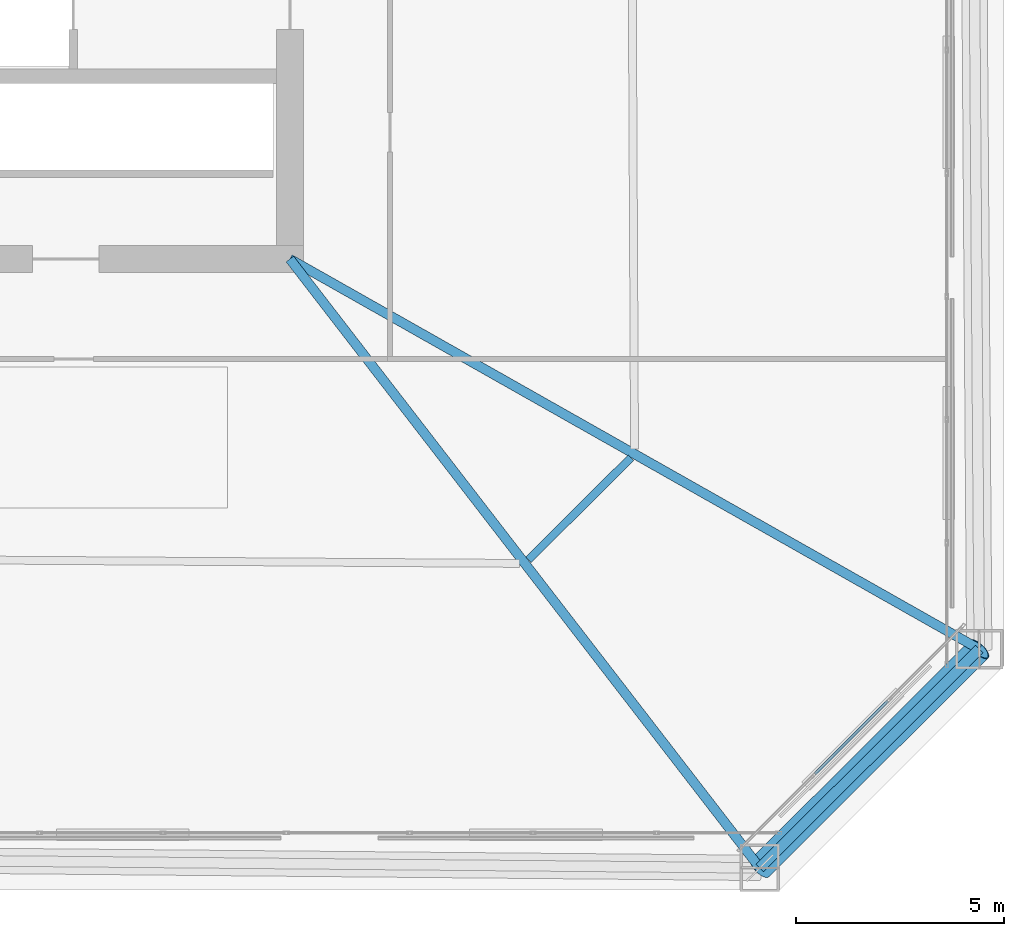
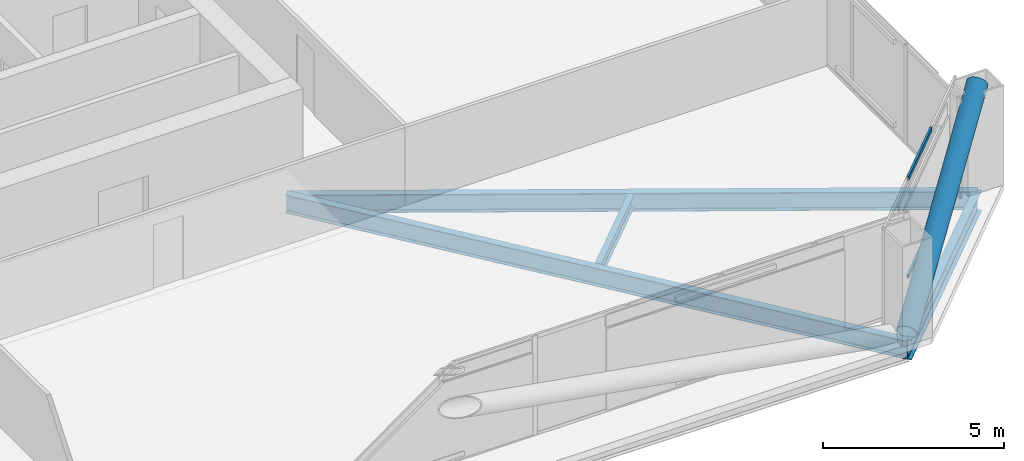
# One storey, part 24 of 50: 4 beams, 3 members, 1 element without a shape of its own.
"""IFC4 building model written with IfcOpenShell, lengths in metres."""

from ifc_helpers import new_model, si_unit, direction, frame, origin, origin_2d, place, context, subcontext, project, spatial, hollow_rectangle, hollow_circle, i_section, extrude, material, layer, layer_set, material_profile, profile_set, type_object, element, aggregate, save


model = new_model("IFC4")

# Units and contexts
model_context = context("Model", 3, precision=1e-05, world=origin(), true_north=direction((0.0, 1.0)))
body_context = subcontext(model_context, "Body", "Model", "MODEL_VIEW")
ifc_project = project(units=[si_unit("LENGTHUNIT", "METRE"), si_unit("AREAUNIT", "SQUARE_METRE"), si_unit("VOLUMEUNIT", "CUBIC_METRE"), si_unit("PLANEANGLEUNIT", "RADIAN"), si_unit("MASSUNIT", "GRAM", prefix="KILO")], contexts=[model_context])

# Site, building, storey
site_placement = place(None, origin())
site = spatial("IfcSite", under=ifc_project, at=site_placement, CompositionType="ELEMENT")
building_placement = place(site_placement, origin())
building = spatial("IfcBuilding", under=site, at=building_placement, Name="Caelvoria Tower", CompositionType="ELEMENT")
storey_placement = place(building_placement, frame((0.0, 0.0, 71.199951171875)))
storey = spatial("IfcBuildingStorey", under=building, at=storey_placement, Name="L18", CompositionType="ELEMENT", Elevation=71.199951171875)

# Curtain wall, members
ifc_material_1 = material(Name="Anodised Bronze Aluminium and Low-E Glass", Category="aluminium")
ifc_layer = layer(ifc_material_1, 0.18505859375, Name="Anodised Bronze Aluminium and Low-E Glass")
ifc_layer_set = layer_set([ifc_layer], Name="CW System 2 Lower Tower Bronze Unitised Facade - Anodised Bronze Aluminium and Low-E Glass")
curtain_wall_type = type_object("IfcCurtainWallType", Name="CW System 2 Lower Tower Bronze Unitised Facade", PredefinedType="NOTDEFINED", material=ifc_layer_set)
curtain_wall_placement = place(storey_placement, origin())
curtain_wall = element("IfcCurtainWall", 1, at=curtain_wall_placement, inside=storey, type_object=curtain_wall_type, Name="CW-02 Curtain Wall L18-E1", PredefinedType="NOTDEFINED")
ifc_material_2 = material(Name="Anodised Bronze Architectural Aluminium", Category="aluminium")
ifc_material_profile_1 = material_profile(ifc_material_2, hollow_rectangle(XDim=0.06494140625, YDim=0.1298828125, WallThickness=0.00341796875, at=origin_2d()), Name="Anodised Bronze Architectural Aluminium")
ifc_profile_set_1 = profile_set([ifc_material_profile_1], Name="CW_TRAN_65X130 - Anodised Bronze Architectural Aluminium")
member_type_1 = type_object("IfcMemberType", Name="Curtain Wall Transom 65x130 Bronze Aluminium", PredefinedType="USERDEFINED", material=ifc_profile_set_1)
member_1_placement = place(storey_placement, frame((67.647216796875, 11.598876953125, 0.032470703125), z_axis=(0.707106781187, 0.707106781187, 0.0), x_axis=(-0.707106781187, 0.707106781187, 0.0)))
member_1 = element("IfcMember", 2, at=member_1_placement, type_object=member_type_1, Name="CW-02 transom 2.1", ObjectType="TRANSOM", PredefinedType="USERDEFINED", context=body_context, shape_type="SweptSolid", body=[
    extrude(hollow_rectangle(XDim=0.06494140625, YDim=0.1298828125, WallThickness=0.00341796875, at=origin_2d()), origin(), (0.0, 0.0, 1.0), 2.48046875),
])
member_2_placement = place(storey_placement, frame((67.647216796875, 11.598876953125, 3.32763671875), z_axis=(0.707106781187, 0.707106781187, 0.0), x_axis=(-0.707106781187, 0.707106781187, 0.0)))
member_2 = element("IfcMember", 3, at=member_2_placement, type_object=member_type_1, Name="CW-02 transom 2.2", ObjectType="TRANSOM", PredefinedType="USERDEFINED", context=body_context, shape_type="SweptSolid", body=[
    extrude(hollow_rectangle(XDim=0.06494140625, YDim=0.1298828125, WallThickness=0.00341796875, at=origin_2d()), origin(), (0.0, 0.0, 1.0), 2.48046875),
])
aggregate(curtain_wall, [member_1, member_2])

# Member
ifc_material_3 = material(Name="Structural Steel ASTM A572 Gr.50", Category="steel")
ifc_material_profile_2 = material_profile(ifc_material_3, hollow_circle(Radius=0.304931640625, WallThickness=0.02490234375, at=origin_2d()), Name="Structural Steel ASTM A572 Gr.50")
ifc_profile_set_2 = profile_set([ifc_material_profile_2], Name="CHS610X25 - Structural Steel ASTM A572 Gr.50")
member_type_2 = type_object("IfcMemberType", Name="Lower Perimeter Mega Brace CHS610X25", PredefinedType="BRACE", material=ifc_profile_set_2)
member_3_placement = place(storey_placement, frame((66.3193359375, 9.336181640625, 0.0), z_axis=(0.645789216717, 0.643730853082, 0.410568966633), x_axis=(-0.70597718057, 0.708234580146, 0.0)))
element("IfcMember", 4, at=member_3_placement, inside=storey, type_object=member_type_2, Name="Perimeter Chamfer Mega Brace L18 SE", PredefinedType="BRACE", context=body_context, shape_type="SweptSolid", body=[
    extrude(hollow_circle(Radius=0.304931640625, WallThickness=0.02490234375, at=origin_2d()), origin(), (0.0, 0.0, 1.0), 8.18408203125),
])

# Beams
ifc_material_4 = material(Name="Structural Steel ASTM A992 Gr.50", Category="steel")
ifc_material_profile_3 = material_profile(ifc_material_4, i_section(OverallWidth=0.25390625, OverallDepth=0.68798828125, WebThickness=0.01318359375, FlangeThickness=0.02099609375, FilletRadius=0.01904296875, at=origin_2d()), Name="Structural Steel ASTM A992 Gr.50")
ifc_profile_set_3 = profile_set([ifc_material_profile_3], Name="W690X152 - Structural Steel ASTM A992 Gr.50")
beam_type_1 = type_object("IfcBeamType", Name="Perimeter Spandrel Girder W690X152", PredefinedType="BEAM", material=ifc_profile_set_3)
beam_1_placement = place(storey_placement, frame((66.3193359375, 9.336181640625, -0.583984375), z_axis=(0.708234580146, 0.70597718057, 0.0), x_axis=(-0.70597718057, 0.708234580146, 0.0)))
element("IfcBeam", 5, at=beam_1_placement, inside=storey, type_object=beam_type_1, Name="Perimeter Spandrel Girder L18-02", PredefinedType="BEAM", context=body_context, shape_type="SweptSolid", body=[
    extrude(i_section(OverallWidth=0.25390625, OverallDepth=0.68798828125, WebThickness=0.01318359375, FlangeThickness=0.02099609375, FilletRadius=0.01904296875, at=origin_2d()), origin(), (0.0, 0.0, 1.0), 7.46240234375),
])
ifc_material_profile_4 = material_profile(ifc_material_4, i_section(OverallWidth=0.22900390625, OverallDepth=0.612060546875, WebThickness=0.011962890625, FlangeThickness=0.01953125, FilletRadius=0.01806640625, at=origin_2d()), Name="Structural Steel ASTM A992 Gr.50")
ifc_profile_set_4 = profile_set([ifc_material_profile_4], Name="W610X125 - Structural Steel ASTM A992 Gr.50")
beam_type_2 = type_object("IfcBeamType", Name="Primary Radial Floor Girder W610X125", PredefinedType="BEAM", material=ifc_profile_set_4)
beam_2_placement = place(storey_placement, frame((55.0, 24.0, -0.5458984375), z_axis=(0.611048700367, -0.791593005136, 0.0), x_axis=(0.791593005136, 0.611048700367, 0.0)))
element("IfcBeam", 6, at=beam_2_placement, inside=storey, type_object=beam_type_2, Name="Primary Floor Girder L18-02", PredefinedType="BEAM", context=body_context, shape_type="SweptSolid", body=[
    extrude(i_section(OverallWidth=0.22900390625, OverallDepth=0.612060546875, WebThickness=0.011962890625, FlangeThickness=0.01953125, FilletRadius=0.01806640625, at=origin_2d()), origin(), (0.0, 0.0, 1.0), 18.5244140625),
])
beam_3_placement = place(storey_placement, frame((55.0, 24.0, -0.5458984375), z_axis=(0.870330127245, -0.492468749881, 0.0), x_axis=(0.492468749881, 0.870330127245, 0.0)))
element("IfcBeam", 7, at=beam_3_placement, inside=storey, type_object=beam_type_2, Name="Primary Floor Girder L18-03", PredefinedType="BEAM", context=body_context, shape_type="SweptSolid", body=[
    extrude(i_section(OverallWidth=0.22900390625, OverallDepth=0.612060546875, WebThickness=0.011962890625, FlangeThickness=0.01953125, FilletRadius=0.01806640625, at=origin_2d()), origin(), (0.0, 0.0, 1.0), 19.078369140625),
])
ifc_material_profile_5 = material_profile(ifc_material_4, i_section(OverallWidth=0.18994140625, OverallDepth=0.45703125, WebThickness=0.009033203125, FlangeThickness=0.014404296875, FilletRadius=0.014892578125, at=origin_2d()), Name="Structural Steel ASTM A992 Gr.50")
ifc_profile_set_5 = profile_set([ifc_material_profile_5], Name="W460X74 - Structural Steel ASTM A992 Gr.50")
beam_type_3 = type_object("IfcBeamType", Name="Secondary Floor Beam W460X74", PredefinedType="BEAM", material=ifc_profile_set_5)
beam_4_placement = place(storey_placement, frame((60.748291015625, 16.75634765625, -0.468505859375), z_axis=(0.708192991705, 0.706018899534, 0.0), x_axis=(-0.706018899534, 0.708192991705, 0.0)))
element("IfcBeam", 8, at=beam_4_placement, inside=storey, type_object=beam_type_3, Name="Secondary Floor Beam L18-02", PredefinedType="BEAM", context=body_context, shape_type="SweptSolid", body=[
    extrude(i_section(OverallWidth=0.18994140625, OverallDepth=0.45703125, WebThickness=0.009033203125, FlangeThickness=0.014404296875, FilletRadius=0.014892578125, at=origin_2d()), origin(), (0.0, 0.0, 1.0), 3.481201171875),
])

save(model, "model.ifc")
